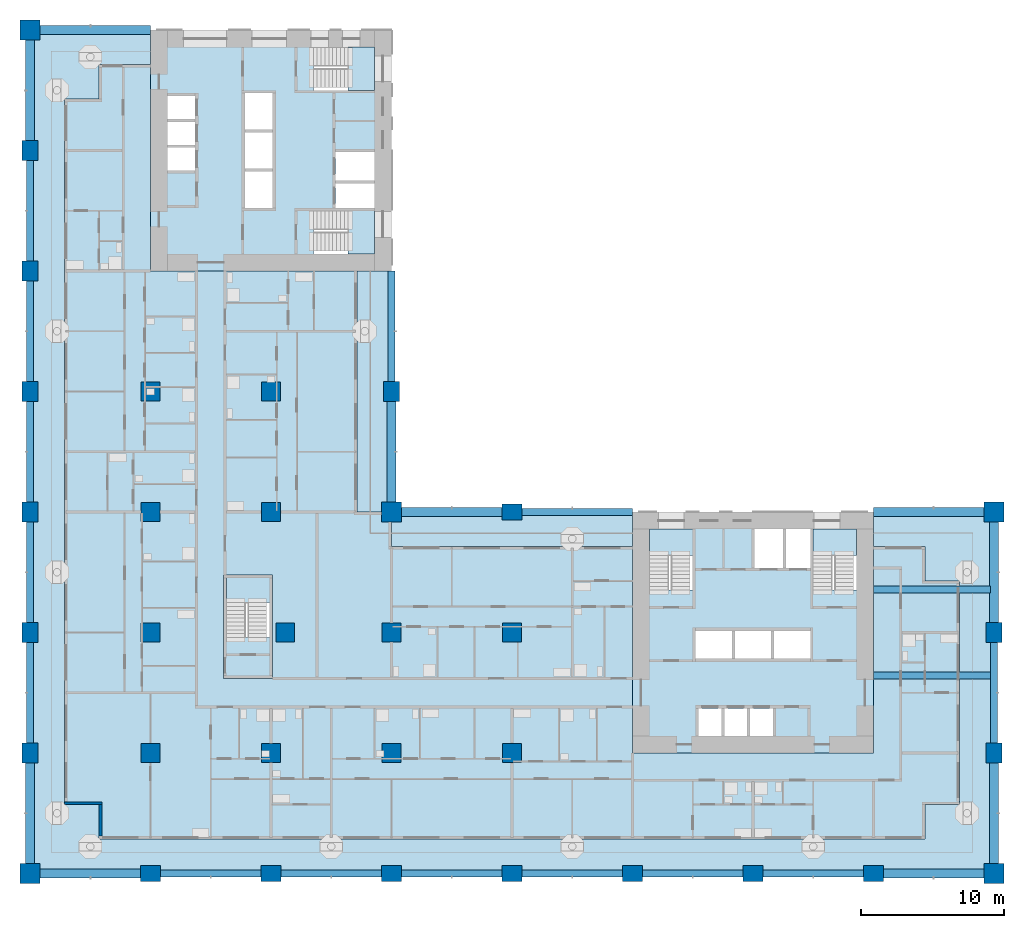
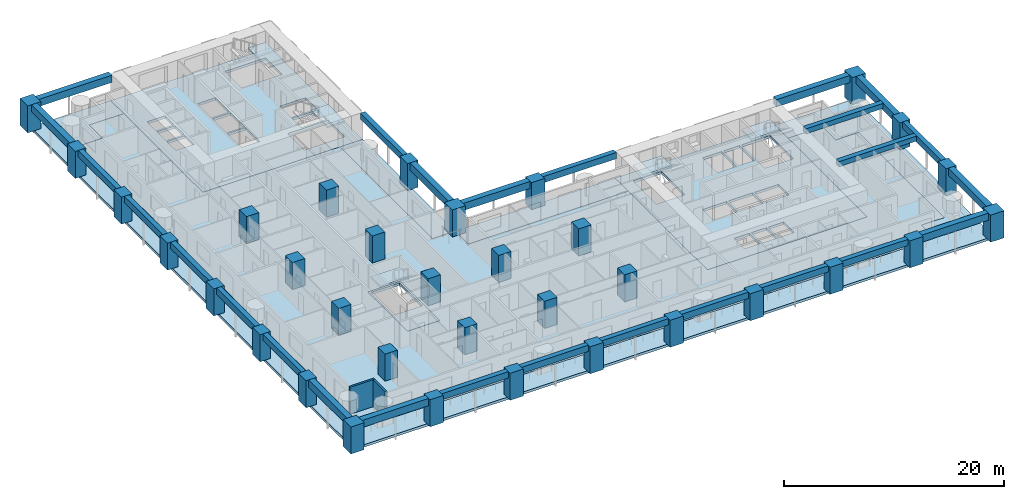
# One storey, part 1 of 21: 34 columns, 26 beams, 12 slabs, 2 walls, 5 elements without a shape of their own.
"""IFC4 building model written with IfcOpenShell, lengths in metres."""

from ifc_helpers import new_model, si_unit, direction, frame, frame_2d, origin, origin_2d, place, context, subcontext, project, spatial, polyline, rectangle, outline, extrude, material, layer, layer_set, material_profile, profile_set, type_object, element, aggregate, save


model = new_model("IFC4")

# Units and contexts
model_context = context("Model", 3, precision=1e-05, world=origin(), true_north=direction((0.0, 1.0)))
body_context = subcontext(model_context, "Body", "Model", "MODEL_VIEW")
ifc_project = project(units=[si_unit("LENGTHUNIT", "METRE"), si_unit("AREAUNIT", "SQUARE_METRE"), si_unit("VOLUMEUNIT", "CUBIC_METRE"), si_unit("PLANEANGLEUNIT", "RADIAN"), si_unit("MASSUNIT", "GRAM", prefix="KILO")], contexts=[model_context])

# Site, building, storey
site_placement = place(None, origin())
site = spatial("IfcSite", under=ifc_project, at=site_placement, CompositionType="ELEMENT")
building_placement = place(site_placement, origin())
building = spatial("IfcBuilding", under=site, at=building_placement, Name="Vermilion Gate Residences", CompositionType="ELEMENT")
storey_placement = place(building_placement, frame((0.0, 0.0, 70.699951171875)))
storey = spatial("IfcBuildingStorey", under=building, at=storey_placement, Name="L17", CompositionType="ELEMENT", Elevation=70.699951171875)

# Columns
ifc_material_1 = material(Name="Concrete C80", Category="concrete")
ifc_material_profile_1 = material_profile(ifc_material_1, rectangle(XDim=1.300048828125, YDim=1.300048828125, at=origin_2d()), Name="RC-1300x1300")
ifc_profile_set_1 = profile_set([ifc_material_profile_1], Name="Concrete C80")
column_type_1 = type_object("IfcColumnType", Name="RC COLUMN 1300 X 1300 C80", PredefinedType="COLUMN", material=ifc_profile_set_1)
for number, where, z_axis, x_axis, name in (
    (1, (8.39990234375, 8.39990234375, 0.0), (0.0, 0.0, 1.0), (1.0, 0.0, 0.0), "Column 2-B L17"),
    (2, (8.39990234375, 16.800048828125, 0.0), (0.0, 0.0, 1.0), (1.0, 0.0, 0.0), "Column 2-C L17"),
    (3, (8.39990234375, 25.199951171875, 0.0), (0.0, 0.0, 1.0), (1.0, 0.0, 0.0), "Column 2-D L17"),
    (4, (8.39990234375, 33.60009765625, 0.0), (0.0, 0.0, 1.0), (1.0, 0.0, 0.0), "Column 2-E L17"),
    (5, (16.800048828125, 8.39990234375, 0.0), (0.0, 0.0, 1.0), (1.0, 0.0, 0.0), "Column 3-B L17"),
    (6, (17.800048828125, 16.800048828125, 0.0), (0.0, 0.0, 1.0), (1.0, 0.0, 0.0), "Column 3-C L17"),
    (7, (16.800048828125, 25.199951171875, 0.0), (0.0, 0.0, 1.0), (1.0, 0.0, 0.0), "Column 3-D L17"),
    (8, (16.800048828125, 33.60009765625, 0.0), (0.0, 0.0, 1.0), (1.0, 0.0, 0.0), "Column 3-E L17"),
    (9, (25.199951171875, 8.39990234375, 0.0), (0.0, 0.0, 1.0), (1.0, 0.0, 0.0), "Column 4-B L17"),
    (10, (25.199951171875, 16.800048828125, 0.0), (0.0, 0.0, 1.0), (1.0, 0.0, 0.0), "Column 4-C L17"),
    (11, (33.60009765625, 8.39990234375, 0.0), (0.0, 0.0, 1.0), (1.0, 0.0, 0.0), "Column 5-B L17"),
    (12, (33.60009765625, 16.800048828125, 0.0), (0.0, 0.0, 1.0), (1.0, 0.0, 0.0), "Column 5-C L17"),
):
    element("IfcColumn", number, at=place(storey_placement, frame(where, z_axis=z_axis, x_axis=x_axis)), inside=storey, type_object=column_type_1, Name=name, PredefinedType="COLUMN", context=body_context, shape_type="SweptSolid", body=[
        extrude(rectangle(XDim=1.300048828125, YDim=1.300048828125, at=origin_2d()), origin(), (0.0, 0.0, 1.0), 3.0),
    ])
ifc_material_2 = material(Name="Concrete C80", Category="concrete")
ifc_material_profile_2 = material_profile(ifc_material_2, rectangle(XDim=1.39990234375, YDim=1.10009765625, at=origin_2d()), Name="RC-1400x1100")
ifc_profile_set_2 = profile_set([ifc_material_profile_2], Name="Concrete C80")
column_type_2 = type_object("IfcColumnType", Name="RC COLUMN 1400 X 1100 C80", PredefinedType="COLUMN", material=ifc_profile_set_2)
for number, where, z_axis, x_axis, name in (
    (13, (0.0, 8.39990234375, 0.0), (0.0, 0.0, 1.0), (0.0, 1.0, 0.0), "Column 1-B L17"),
    (14, (0.0, 16.800048828125, 0.0), (0.0, 0.0, 1.0), (0.0, 1.0, 0.0), "Column 1-C L17"),
    (15, (0.0, 25.199951171875, 0.0), (0.0, 0.0, 1.0), (0.0, 1.0, 0.0), "Column 1-D L17"),
    (16, (0.0, 33.60009765625, 0.0), (0.0, 0.0, 1.0), (0.0, 1.0, 0.0), "Column 1-E L17"),
    (17, (0.0, 42.0, 0.0), (0.0, 0.0, 1.0), (0.0, 1.0, 0.0), "Column 1-F L17"),
    (18, (0.0, 50.39990234375, 0.0), (0.0, 0.0, 1.0), (0.0, 1.0, 0.0), "Column 1-G L17"),
    (19, (8.39990234375, 0.0, 0.0), (0.0, 0.0, 1.0), (1.0, 0.0, 0.0), "Column 2-A L17"),
    (20, (16.800048828125, 0.0, 0.0), (0.0, 0.0, 1.0), (1.0, 0.0, 0.0), "Column 3-A L17"),
    (21, (25.199951171875, 0.0, 0.0), (0.0, 0.0, 1.0), (1.0, 0.0, 0.0), "Column 4-A L17"),
    (22, (25.199951171875, 33.60009765625, 0.0), (0.0, 0.0, 1.0), (0.0, 1.0, 0.0), "Column 4-E L17"),
    (23, (33.60009765625, 0.0, 0.0), (0.0, 0.0, 1.0), (1.0, 0.0, 0.0), "Column 5-A L17"),
    (24, (33.60009765625, 25.199951171875, 0.0), (0.0, 0.0, 1.0), (1.0, 0.0, 0.0), "Column 5-D L17"),
    (25, (42.0, 0.0, 0.0), (0.0, 0.0, 1.0), (1.0, 0.0, 0.0), "Column 6-A L17"),
    (26, (50.39990234375, 0.0, 0.0), (0.0, 0.0, 1.0), (1.0, 0.0, 0.0), "Column 7-A L17"),
    (27, (58.800048828125, 0.0, 0.0), (0.0, 0.0, 1.0), (1.0, 0.0, 0.0), "Column 8-A L17"),
    (28, (67.199951171875, 8.39990234375, 0.0), (0.0, 0.0, 1.0), (0.0, 1.0, 0.0), "Column 9-B L17"),
    (29, (67.199951171875, 16.800048828125, 0.0), (0.0, 0.0, 1.0), (0.0, 1.0, 0.0), "Column 9-C L17"),
):
    element("IfcColumn", number, at=place(storey_placement, frame(where, z_axis=z_axis, x_axis=x_axis)), inside=storey, type_object=column_type_2, Name=name, PredefinedType="COLUMN", context=body_context, shape_type="SweptSolid", body=[
        extrude(rectangle(XDim=1.39990234375, YDim=1.10009765625, at=origin_2d()), origin(), (0.0, 0.0, 1.0), 3.0),
    ])
ifc_material_3 = material(Name="Concrete C80", Category="concrete")
ifc_material_profile_3 = material_profile(ifc_material_3, rectangle(XDim=1.39990234375, YDim=1.39990234375, at=origin_2d()), Name="RC-1400x1400")
ifc_profile_set_3 = profile_set([ifc_material_profile_3], Name="Concrete C80")
column_type_3 = type_object("IfcColumnType", Name="RC COLUMN 1400 X 1400 C80", PredefinedType="COLUMN", material=ifc_profile_set_3)
for number, where, z_axis, x_axis, name in (
    (30, (0.0, 0.0, 0.0), (0.0, 0.0, 1.0), (1.0, 0.0, 0.0), "Column 1-A L17"),
    (31, (0.0, 58.800048828125, 0.0), (0.0, 0.0, 1.0), (1.0, 0.0, 0.0), "Column 1-H L17"),
    (32, (25.199951171875, 25.199951171875, 0.0), (0.0, 0.0, 1.0), (1.0, 0.0, 0.0), "Column 4-D L17"),
    (33, (67.199951171875, 0.0, 0.0), (0.0, 0.0, 1.0), (1.0, 0.0, 0.0), "Column 9-A L17"),
    (34, (67.199951171875, 25.199951171875, 0.0), (0.0, 0.0, 1.0), (1.0, 0.0, 0.0), "Column 9-D L17"),
):
    element("IfcColumn", number, at=place(storey_placement, frame(where, z_axis=z_axis, x_axis=x_axis)), inside=storey, type_object=column_type_3, Name=name, PredefinedType="COLUMN", context=body_context, shape_type="SweptSolid", body=[
        extrude(rectangle(XDim=1.39990234375, YDim=1.39990234375, at=origin_2d()), origin(), (0.0, 0.0, 1.0), 3.0),
    ])

# Beams
ifc_material_4 = material(Name="Concrete C60 red-oxide pigmented", Category="concrete")
ifc_material_profile_4 = material_profile(ifc_material_4, rectangle(XDim=0.60009765625, YDim=0.800048828125, at=origin_2d()), Name="RC-600x800")
ifc_profile_set_4 = profile_set([ifc_material_profile_4], Name="Concrete C60 red-oxide pigmented")
beam_type_1 = type_object("IfcBeamType", Name="RC CORNER EDGE BEAM 600 X 800 C60", PredefinedType="BEAM", material=ifc_profile_set_4)
for number, where, z_axis, x_axis, name in (
    (35, (0.699951171875, 0.0, 2.60009765625), (1.0, 0.0, 0.0), (0.0, 1.0, 0.0), "Corner edge beam L17 1"),
    (36, (0.0, 0.699951171875, 2.60009765625), (0.0, 1.0, 0.0), (-1.0, 0.0, 0.0), "Corner edge beam L17 2"),
):
    element("IfcBeam", number, at=place(storey_placement, frame(where, z_axis=z_axis, x_axis=x_axis)), inside=storey, type_object=beam_type_1, Name=name, PredefinedType="BEAM", context=body_context, shape_type="SweptSolid", body=[
        extrude(rectangle(XDim=0.60009765625, YDim=0.800048828125, at=origin_2d()), origin(), (0.0, 0.0, 1.0), 7.0),
    ])
beam_1_placement = place(storey_placement, frame((0.699951171875, 58.800048828125, 2.60009765625), z_axis=(1.0, 0.0, 0.0), x_axis=(0.0, 1.0, 0.0)))
element("IfcBeam", 37, at=beam_1_placement, inside=storey, type_object=beam_type_1, Name="Corner edge beam L17 8", PredefinedType="BEAM", context=body_context, shape_type="SweptSolid", body=[
    extrude(rectangle(XDim=0.60009765625, YDim=0.800048828125, at=origin_2d()), origin(), (0.0, 0.0, 1.0), 7.699951171875),
])
for number, where, z_axis, x_axis, name in (
    (38, (0.0, 51.10009765625, 2.60009765625), (0.0, 1.0, 0.0), (-1.0, 0.0, 0.0), "Corner edge beam L17 9"),
    (39, (25.199951171875, 25.89990234375, 2.60009765625), (0.0, 1.0, 0.0), (-1.0, 0.0, 0.0), "Corner edge beam L17 12"),
    (40, (25.89990234375, 25.199951171875, 2.60009765625), (1.0, 0.0, 0.0), (0.0, 1.0, 0.0), "Corner edge beam L17 15"),
    (41, (59.5, 0.0, 2.60009765625), (1.0, 0.0, 0.0), (0.0, 1.0, 0.0), "Corner edge beam L17 20"),
    (42, (67.199951171875, 0.699951171875, 2.60009765625), (0.0, 1.0, 0.0), (-1.0, 0.0, 0.0), "Corner edge beam L17 21"),
    (43, (67.199951171875, 17.5, 2.60009765625), (0.0, 1.0, 0.0), (-1.0, 0.0, 0.0), "Corner edge beam L17 23"),
):
    element("IfcBeam", number, at=place(storey_placement, frame(where, z_axis=z_axis, x_axis=x_axis)), inside=storey, type_object=beam_type_1, Name=name, PredefinedType="BEAM", context=body_context, shape_type="SweptSolid", body=[
        extrude(rectangle(XDim=0.60009765625, YDim=0.800048828125, at=origin_2d()), origin(), (0.0, 0.0, 1.0), 7.0),
    ])
beam_2_placement = place(storey_placement, frame((58.800048828125, 25.199951171875, 2.60009765625), z_axis=(1.0, 0.0, 0.0), x_axis=(0.0, 1.0, 0.0)))
element("IfcBeam", 44, at=beam_2_placement, inside=storey, type_object=beam_type_1, Name="Corner edge beam L17 24", PredefinedType="BEAM", context=body_context, shape_type="SweptSolid", body=[
    extrude(rectangle(XDim=0.60009765625, YDim=0.800048828125, at=origin_2d()), origin(), (0.0, 0.0, 1.0), 7.699951171875),
])
ifc_material_5 = material(Name="Concrete C60 red-oxide pigmented", Category="concrete")
ifc_material_profile_5 = material_profile(ifc_material_5, rectangle(XDim=0.5, YDim=0.699951171875, at=origin_2d()), Name="RC-500x700")
ifc_profile_set_5 = profile_set([ifc_material_profile_5], Name="Concrete C60 red-oxide pigmented")
beam_type_2 = type_object("IfcBeamType", Name="RC EDGE BEAM 500 X 700 C60", PredefinedType="BEAM", material=ifc_profile_set_5)
for number, where, z_axis, x_axis, name in (
    (45, (0.0, 9.10009765625, 2.650146484375), (0.0, 1.0, 0.0), (-1.0, 0.0, 0.0), "Edge beam L17 3"),
    (46, (0.0, 17.5, 2.650146484375), (0.0, 1.0, 0.0), (-1.0, 0.0, 0.0), "Edge beam L17 4"),
    (47, (0.0, 25.89990234375, 2.650146484375), (0.0, 1.0, 0.0), (-1.0, 0.0, 0.0), "Edge beam L17 5"),
    (48, (0.0, 34.300048828125, 2.650146484375), (0.0, 1.0, 0.0), (-1.0, 0.0, 0.0), "Edge beam L17 6"),
    (49, (0.0, 42.699951171875, 2.650146484375), (0.0, 1.0, 0.0), (-1.0, 0.0, 0.0), "Edge beam L17 7"),
    (50, (9.10009765625, 0.0, 2.650146484375), (1.0, 0.0, 0.0), (0.0, 1.0, 0.0), "Edge beam L17 10"),
    (51, (17.5, 0.0, 2.650146484375), (1.0, 0.0, 0.0), (0.0, 1.0, 0.0), "Edge beam L17 11"),
):
    element("IfcBeam", number, at=place(storey_placement, frame(where, z_axis=z_axis, x_axis=x_axis)), inside=storey, type_object=beam_type_2, Name=name, PredefinedType="BEAM", context=body_context, shape_type="SweptSolid", body=[
        extrude(rectangle(XDim=0.5, YDim=0.699951171875, at=origin_2d()), origin(), (0.0, 0.0, 1.0), 7.0),
    ])
beam_3_placement = place(storey_placement, frame((25.199951171875, 34.300048828125, 2.650146484375), z_axis=(0.0, 1.0, 0.0), x_axis=(-1.0, 0.0, 0.0)))
element("IfcBeam", 52, at=beam_3_placement, inside=storey, type_object=beam_type_2, Name="Edge beam L17 13", PredefinedType="BEAM", context=body_context, shape_type="SweptSolid", body=[
    extrude(rectangle(XDim=0.5, YDim=0.699951171875, at=origin_2d()), origin(), (0.0, 0.0, 1.0), 7.699951171875),
])
for number, where, z_axis, x_axis, name in (
    (53, (25.89990234375, 0.0, 2.650146484375), (1.0, 0.0, 0.0), (0.0, 1.0, 0.0), "Edge beam L17 14"),
    (54, (34.300048828125, 0.0, 2.650146484375), (1.0, 0.0, 0.0), (0.0, 1.0, 0.0), "Edge beam L17 16"),
):
    element("IfcBeam", number, at=place(storey_placement, frame(where, z_axis=z_axis, x_axis=x_axis)), inside=storey, type_object=beam_type_2, Name=name, PredefinedType="BEAM", context=body_context, shape_type="SweptSolid", body=[
        extrude(rectangle(XDim=0.5, YDim=0.699951171875, at=origin_2d()), origin(), (0.0, 0.0, 1.0), 7.0),
    ])
beam_4_placement = place(storey_placement, frame((34.300048828125, 25.199951171875, 2.650146484375), z_axis=(1.0, 0.0, 0.0), x_axis=(0.0, 1.0, 0.0)))
element("IfcBeam", 55, at=beam_4_placement, inside=storey, type_object=beam_type_2, Name="Edge beam L17 17", PredefinedType="BEAM", context=body_context, shape_type="SweptSolid", body=[
    extrude(rectangle(XDim=0.5, YDim=0.699951171875, at=origin_2d()), origin(), (0.0, 0.0, 1.0), 7.699951171875),
])
for number, where, z_axis, x_axis, name in (
    (56, (42.699951171875, 0.0, 2.650146484375), (1.0, 0.0, 0.0), (0.0, 1.0, 0.0), "Edge beam L17 18"),
    (57, (51.10009765625, 0.0, 2.650146484375), (1.0, 0.0, 0.0), (0.0, 1.0, 0.0), "Edge beam L17 19"),
    (58, (67.199951171875, 9.10009765625, 2.650146484375), (0.0, 1.0, 0.0), (-1.0, 0.0, 0.0), "Edge beam L17 22"),
):
    element("IfcBeam", number, at=place(storey_placement, frame(where, z_axis=z_axis, x_axis=x_axis)), inside=storey, type_object=beam_type_2, Name=name, PredefinedType="BEAM", context=body_context, shape_type="SweptSolid", body=[
        extrude(rectangle(XDim=0.5, YDim=0.699951171875, at=origin_2d()), origin(), (0.0, 0.0, 1.0), 7.0),
    ])
ifc_material_6 = material(Name="Concrete C60", Category="concrete")
ifc_material_profile_6 = material_profile(ifc_material_6, rectangle(XDim=0.5, YDim=0.550048828125, at=origin_2d()), Name="RC-500x550")
ifc_profile_set_6 = profile_set([ifc_material_profile_6], Name="Concrete C60")
beam_type_3 = type_object("IfcBeamType", Name="RC WING BEAM 500 X 550 C60", PredefinedType="BEAM", material=ifc_profile_set_6)
for number, where, z_axis, x_axis, name in (
    (59, (58.800048828125, 13.800048828125, 2.72509765625), (1.0, 0.0, 0.0), (0.0, 1.0, 0.0), "Wing-end beam L17 1"),
    (60, (58.800048828125, 19.800048828125, 2.72509765625), (1.0, 0.0, 0.0), (0.0, 1.0, 0.0), "Wing-end beam L17 2"),
):
    element("IfcBeam", number, at=place(storey_placement, frame(where, z_axis=z_axis, x_axis=x_axis)), inside=storey, type_object=beam_type_3, Name=name, PredefinedType="BEAM", context=body_context, shape_type="SweptSolid", body=[
        extrude(rectangle(XDim=0.5, YDim=0.550048828125, at=origin_2d()), origin(), (0.0, 0.0, 1.0), 8.14990234375),
    ])

# Slabs
ifc_material_7 = material(Name="Concrete C50", Category="concrete")
ifc_layer_1 = layer(ifc_material_7, 0.280029296875)
ifc_layer_set_1 = layer_set([ifc_layer_1], Name="RC CORE FLOOR SLAB 280 C50")
slab_type_1 = type_object("IfcSlabType", Name="RC CORE FLOOR SLAB 280 C50", PredefinedType="FLOOR", material=ifc_layer_set_1)
slab_1_placement = place(storey_placement, frame((0.0, 0.0, -0.280029296875)))
element("IfcSlab", 61, at=slab_1_placement, inside=storey, type_object=slab_type_1, Name="Core floor slab A17", PredefinedType="FLOOR", context=body_context, shape_type="SweptSolid", body=[
    extrude(outline(polyline([(42.0, 8.39990234375), (58.800048828125, 8.39990234375), (58.800048828125, 25.199951171875), (42.0, 25.199951171875), (42.0, 8.39990234375)]), holes=[polyline([(46.60009765625, 11.5), (48.199951171875, 11.5), (48.199951171875, 9.60009765625), (46.60009765625, 9.60009765625), (46.60009765625, 11.5)]), polyline([(48.39990234375, 11.5), (50.0, 11.5), (50.0, 9.60009765625), (48.39990234375, 9.60009765625), (48.39990234375, 11.5)]), polyline([(50.199951171875, 11.5), (51.800048828125, 11.5), (51.800048828125, 9.60009765625), (50.199951171875, 9.60009765625), (50.199951171875, 11.5)]), polyline([(48.933349609375, 16.89990234375), (48.933349609375, 15.0), (46.39990234375, 15.0), (46.39990234375, 16.89990234375), (48.933349609375, 16.89990234375)]), polyline([(51.666748046875, 16.89990234375), (51.666748046875, 15.0), (49.13330078125, 15.0), (49.13330078125, 16.89990234375), (51.666748046875, 16.89990234375)]), polyline([(51.86669921875, 16.89990234375), (54.39990234375, 16.89990234375), (54.39990234375, 15.0), (51.86669921875, 15.0), (51.86669921875, 16.89990234375)]), polyline([(43.199951171875, 24.0), (46.199951171875, 24.0), (46.199951171875, 19.75), (43.199951171875, 19.75), (43.199951171875, 24.0)]), polyline([(54.60009765625, 24.0), (57.60009765625, 24.0), (57.60009765625, 19.75), (54.60009765625, 19.75), (54.60009765625, 24.0)]), polyline([(52.5, 24.0), (52.5, 21.300048828125), (50.5, 21.300048828125), (50.5, 24.0), (52.5, 24.0)]), polyline([(54.39990234375, 24.0), (54.39990234375, 21.300048828125), (52.699951171875, 21.300048828125), (52.699951171875, 24.0), (54.39990234375, 24.0)])]), origin(), (0.0, 0.0, 1.0), 0.280029296875),
])
slab_2_placement = place(storey_placement, frame((0.0, 0.0, -0.280029296875)))
element("IfcSlab", 62, at=slab_2_placement, inside=storey, type_object=slab_type_1, Name="Core floor slab B17", PredefinedType="FLOOR", context=body_context, shape_type="SweptSolid", body=[
    extrude(outline(polyline([(8.39990234375, 42.0), (25.199951171875, 42.0), (25.199951171875, 58.800048828125), (8.39990234375, 58.800048828125), (8.39990234375, 42.0)]), holes=[polyline([(19.75, 46.199951171875), (24.0, 46.199951171875), (24.0, 43.199951171875), (19.75, 43.199951171875), (19.75, 46.199951171875)]), polyline([(21.300048828125, 48.10009765625), (24.0, 48.10009765625), (24.0, 46.39990234375), (21.300048828125, 46.39990234375), (21.300048828125, 48.10009765625)]), polyline([(15.0, 48.933349609375), (16.89990234375, 48.933349609375), (16.89990234375, 46.39990234375), (15.0, 46.39990234375), (15.0, 48.933349609375)]), polyline([(24.0, 50.300048828125), (24.0, 48.300048828125), (21.300048828125, 48.300048828125), (21.300048828125, 50.300048828125), (24.0, 50.300048828125)]), polyline([(11.5, 50.60009765625), (11.5, 49.0), (9.60009765625, 49.0), (9.60009765625, 50.60009765625), (11.5, 50.60009765625)]), polyline([(15.0, 51.666748046875), (16.89990234375, 51.666748046875), (16.89990234375, 49.13330078125), (15.0, 49.13330078125), (15.0, 51.666748046875)]), polyline([(9.60009765625, 52.39990234375), (11.5, 52.39990234375), (11.5, 50.800048828125), (9.60009765625, 50.800048828125), (9.60009765625, 52.39990234375)]), polyline([(15.0, 54.39990234375), (16.89990234375, 54.39990234375), (16.89990234375, 51.86669921875), (15.0, 51.86669921875), (15.0, 54.39990234375)]), polyline([(11.5, 54.199951171875), (11.5, 52.60009765625), (9.60009765625, 52.60009765625), (9.60009765625, 54.199951171875), (11.5, 54.199951171875)]), polyline([(24.0, 57.60009765625), (24.0, 54.60009765625), (19.75, 54.60009765625), (19.75, 57.60009765625), (24.0, 57.60009765625)])]), origin(), (0.0, 0.0, 1.0), 0.280029296875),
])
slab_3_placement = place(storey_placement, frame((0.0, 0.0, -0.280029296875)))
element("IfcSlab", 63, at=slab_3_placement, inside=storey, type_object=slab_type_1, Name="Apex stair floor slab 17", PredefinedType="FLOOR", context=body_context, shape_type="SweptSolid", body=[
    extrude(outline(polyline([(13.5, 13.60009765625), (16.89990234375, 13.60009765625), (16.89990234375, 20.800048828125), (13.5, 20.800048828125), (13.5, 13.60009765625)]), holes=[polyline([(16.699951171875, 20.60009765625), (16.699951171875, 16.449951171875), (13.699951171875, 16.449951171875), (13.699951171875, 20.60009765625), (16.699951171875, 20.60009765625)])]), origin(), (0.0, 0.0, 1.0), 0.280029296875),
])
ifc_material_8 = material(Name="Concrete C50", Category="concrete")
ifc_layer_2 = layer(ifc_material_8, 0.280029296875)
ifc_layer_set_2 = layer_set([ifc_layer_2], Name="RC FLAT PLATE 280 C50")
slab_type_2 = type_object("IfcSlabType", Name="RC FLAT PLATE 280 C50", PredefinedType="FLOOR", material=ifc_layer_set_2)
slab_4_placement = place(storey_placement, frame((0.0, 0.0, -0.280029296875)))
element("IfcSlab", 64, at=slab_4_placement, inside=storey, type_object=slab_type_2, Name="Floor slab L17", PredefinedType="FLOOR", context=body_context, shape_type="SweptSolid", body=[
    extrude(outline(polyline([(22.800048828125, 25.199951171875), (22.800048828125, 42.0), (8.39990234375, 42.0), (8.39990234375, 56.39990234375), (4.800048828125, 56.39990234375), (4.800048828125, 54.0), (2.39990234375, 54.0), (2.39990234375, 4.800048828125), (4.800048828125, 4.800048828125), (4.800048828125, 2.39990234375), (62.39990234375, 2.39990234375), (62.39990234375, 4.800048828125), (64.800048828125, 4.800048828125), (64.800048828125, 20.39990234375), (62.39990234375, 20.39990234375), (62.39990234375, 22.800048828125), (58.800048828125, 22.800048828125), (58.800048828125, 8.39990234375), (42.0, 8.39990234375), (42.0, 22.800048828125), (25.199951171875, 22.800048828125), (25.199951171875, 25.199951171875), (22.800048828125, 25.199951171875)]), holes=[polyline([(13.5, 13.60009765625), (13.5, 20.800048828125), (16.89990234375, 20.800048828125), (16.89990234375, 13.60009765625), (13.5, 13.60009765625)])]), origin(), (0.0, 0.0, 1.0), 0.280029296875),
])
ifc_material_9 = material(Name="Concrete C50 red-oxide pigmented", Category="concrete")
ifc_layer_3 = layer(ifc_material_9, 0.280029296875)
ifc_layer_set_3 = layer_set([ifc_layer_3], Name="RC LOGGIA SLAB 280 C50")
slab_type_3 = type_object("IfcSlabType", Name="RC LOGGIA SLAB 280 C50", PredefinedType="FLOOR", material=ifc_layer_set_3)
slab_5_placement = place(storey_placement, frame((0.0, 0.0, -0.280029296875)))
element("IfcSlab", 65, at=slab_5_placement, inside=storey, type_object=slab_type_3, Name="Loggia slab L17", PredefinedType="FLOOR", context=body_context, shape_type="SweptSolid", body=[
    extrude(outline(polyline([(0.0, 58.800048828125), (0.0, 0.0), (67.199951171875, 0.0), (67.199951171875, 25.199951171875), (58.800048828125, 25.199951171875), (58.800048828125, 22.800048828125), (62.39990234375, 22.800048828125), (62.39990234375, 20.39990234375), (64.800048828125, 20.39990234375), (64.800048828125, 4.800048828125), (62.39990234375, 4.800048828125), (62.39990234375, 2.39990234375), (4.800048828125, 2.39990234375), (4.800048828125, 4.800048828125), (2.39990234375, 4.800048828125), (2.39990234375, 54.0), (4.800048828125, 54.0), (4.800048828125, 56.39990234375), (8.39990234375, 56.39990234375), (8.39990234375, 58.800048828125), (0.0, 58.800048828125)])), origin(), (0.0, 0.0, 1.0), 0.280029296875),
])
slab_6_placement = place(storey_placement, frame((0.0, 0.0, -0.280029296875)))
element("IfcSlab", 66, at=slab_6_placement, inside=storey, type_object=slab_type_3, Name="Loggia slab L17", PredefinedType="FLOOR", context=body_context, shape_type="SweptSolid", body=[
    extrude(outline(polyline([(25.199951171875, 22.800048828125), (42.0, 22.800048828125), (42.0, 25.199951171875), (25.199951171875, 25.199951171875), (25.199951171875, 22.800048828125)])), origin(), (0.0, 0.0, 1.0), 0.280029296875),
])
slab_7_placement = place(storey_placement, frame((0.0, 0.0, -0.280029296875)))
element("IfcSlab", 67, at=slab_7_placement, inside=storey, type_object=slab_type_3, Name="Loggia slab L17", PredefinedType="FLOOR", context=body_context, shape_type="SweptSolid", body=[
    extrude(outline(polyline([(22.800048828125, 42.0), (22.800048828125, 25.199951171875), (25.199951171875, 25.199951171875), (25.199951171875, 42.0), (22.800048828125, 42.0)])), origin(), (0.0, 0.0, 1.0), 0.280029296875),
])

# Stair, slab
ifc_material_10 = material(Name="Concrete C50", Category="concrete")
stair_type = type_object("IfcStairType", Name="SPECIAL ESCAPE STAIR 1300", PredefinedType="HALF_TURN_STAIR", material=ifc_material_10)
stair_1_placement = place(storey_placement, origin())
stair_1 = element("IfcStair", 68, at=stair_1_placement, inside=storey, type_object=stair_type, Name="Special escape stair STA1-17", PredefinedType="HALF_TURN_STAIR")
ifc_material_11 = material(Name="Concrete C50", Category="concrete")
ifc_layer_4 = layer(ifc_material_11, 0.199951171875)
ifc_layer_set_4 = layer_set([ifc_layer_4], Name="STAIR LANDING 200 C50")
slab_type_4 = type_object("IfcSlabType", Name="STAIR LANDING 200 C50", PredefinedType="LANDING", material=ifc_layer_set_4)
slab_8_placement = place(storey_placement, frame((0.0, 0.0, 1.550048828125)))
slab_8 = element("IfcSlab", 69, at=slab_8_placement, type_object=slab_type_4, Name="STA1-17 landing 1", PredefinedType="LANDING", context=body_context, shape_type="SweptSolid", body=[
    extrude(outline(polyline([(46.219970703125, 22.179931640625), (46.219970703125, 24.02001953125), (43.179931640625, 24.02001953125), (43.179931640625, 22.179931640625), (46.219970703125, 22.179931640625)])), origin(), (0.0, 0.0, 1.0), 0.199951171875),
])
aggregate(stair_1, [slab_8])

stair_2_placement = place(storey_placement, origin())
stair_2 = element("IfcStair", 70, at=stair_2_placement, inside=storey, type_object=stair_type, Name="Special escape stair STA2-17", PredefinedType="HALF_TURN_STAIR")
slab_9_placement = place(storey_placement, frame((0.0, 0.0, 1.550048828125)))
slab_9 = element("IfcSlab", 71, at=slab_9_placement, type_object=slab_type_4, Name="STA2-17 landing 1", PredefinedType="LANDING", context=body_context, shape_type="SweptSolid", body=[
    extrude(outline(polyline([(57.6201171875, 22.179931640625), (57.6201171875, 24.02001953125), (54.580078125, 24.02001953125), (54.580078125, 22.179931640625), (57.6201171875, 22.179931640625)])), origin(), (0.0, 0.0, 1.0), 0.199951171875),
])
aggregate(stair_2, [slab_9])

stair_3_placement = place(storey_placement, origin())
stair_3 = element("IfcStair", 72, at=stair_3_placement, inside=storey, type_object=stair_type, Name="Special escape stair STB1-17", PredefinedType="HALF_TURN_STAIR")
slab_10_placement = place(storey_placement, frame((0.0, 0.0, 1.550048828125)))
slab_10 = element("IfcSlab", 73, at=slab_10_placement, type_object=slab_type_4, Name="STB1-17 landing 1", PredefinedType="LANDING", context=body_context, shape_type="SweptSolid", body=[
    extrude(outline(polyline([(24.02001953125, 54.580078125), (24.02001953125, 57.6201171875), (22.179931640625, 57.6201171875), (22.179931640625, 54.580078125), (24.02001953125, 54.580078125)])), origin(), (0.0, 0.0, 1.0), 0.199951171875),
])
aggregate(stair_3, [slab_10])

stair_4_placement = place(storey_placement, origin())
stair_4 = element("IfcStair", 74, at=stair_4_placement, inside=storey, type_object=stair_type, Name="Special escape stair STB2-17", PredefinedType="HALF_TURN_STAIR")
slab_11_placement = place(storey_placement, frame((0.0, 0.0, 1.550048828125)))
slab_11 = element("IfcSlab", 75, at=slab_11_placement, type_object=slab_type_4, Name="STB2-17 landing 1", PredefinedType="LANDING", context=body_context, shape_type="SweptSolid", body=[
    extrude(outline(polyline([(24.02001953125, 43.179931640625), (24.02001953125, 46.219970703125), (22.179931640625, 46.219970703125), (22.179931640625, 43.179931640625), (24.02001953125, 43.179931640625)])), origin(), (0.0, 0.0, 1.0), 0.199951171875),
])
aggregate(stair_4, [slab_11])

stair_5_placement = place(storey_placement, origin())
stair_5 = element("IfcStair", 76, at=stair_5_placement, inside=storey, type_object=stair_type, Name="Special escape stair STC1-17", PredefinedType="HALF_TURN_STAIR")
slab_12_placement = place(storey_placement, frame((0.0, 0.0, 1.550048828125)))
slab_12 = element("IfcSlab", 77, at=slab_12_placement, type_object=slab_type_4, Name="STC1-17 landing 1", PredefinedType="LANDING", context=body_context, shape_type="SweptSolid", body=[
    extrude(outline(polyline([(16.719970703125, 18.8798828125), (16.719970703125, 20.6201171875), (13.679931640625, 20.6201171875), (13.679931640625, 18.8798828125), (16.719970703125, 18.8798828125)])), origin(), (0.0, 0.0, 1.0), 0.199951171875),
])
aggregate(stair_5, [slab_12])

# Walls
ifc_material_12 = material(Name="Insulated steel stud wall with terracotta rainscreen", Category="masonry")
ifc_layer_5 = layer(ifc_material_12, 0.199951171875)
ifc_layer_set_5 = layer_set([ifc_layer_5], Name="EXTERNAL WALL 200 TERRACOTTA RAINSCREEN")
wall_type = type_object("IfcWallType", Name="EXTERNAL WALL 200 TERRACOTTA RAINSCREEN", PredefinedType="SOLIDWALL", material=ifc_layer_set_5)
wall_1_placement = place(storey_placement, frame((2.39990234375, 4.89990234375, 0.0), z_axis=(0.0, 0.0, 1.0), x_axis=(1.0, 0.0, 0.0)))
element("IfcWall", 78, at=wall_1_placement, inside=storey, type_object=wall_type, Name="External wall", PredefinedType="SOLIDWALL", context=body_context, shape_type="SweptSolid", body=[
    extrude(rectangle(XDim=2.60009765625, YDim=0.199951171875, at=frame_2d((1.300048828125, 0.0))), origin(), (0.0, 0.0, 1.0), 3.0),
])
wall_2_placement = place(storey_placement, frame((4.89990234375, 4.800048828125, 0.0), z_axis=(0.0, 0.0, 1.0), x_axis=(0.0, -1.0, 0.0)))
element("IfcWall", 79, at=wall_2_placement, inside=storey, type_object=wall_type, Name="External wall", PredefinedType="SOLIDWALL", context=body_context, shape_type="SweptSolid", body=[
    extrude(rectangle(XDim=2.199951171875, YDim=0.199951171875, at=frame_2d((1.10009765625, 0.0))), origin(), (0.0, 0.0, 1.0), 3.0),
])

save(model, "model.ifc")
